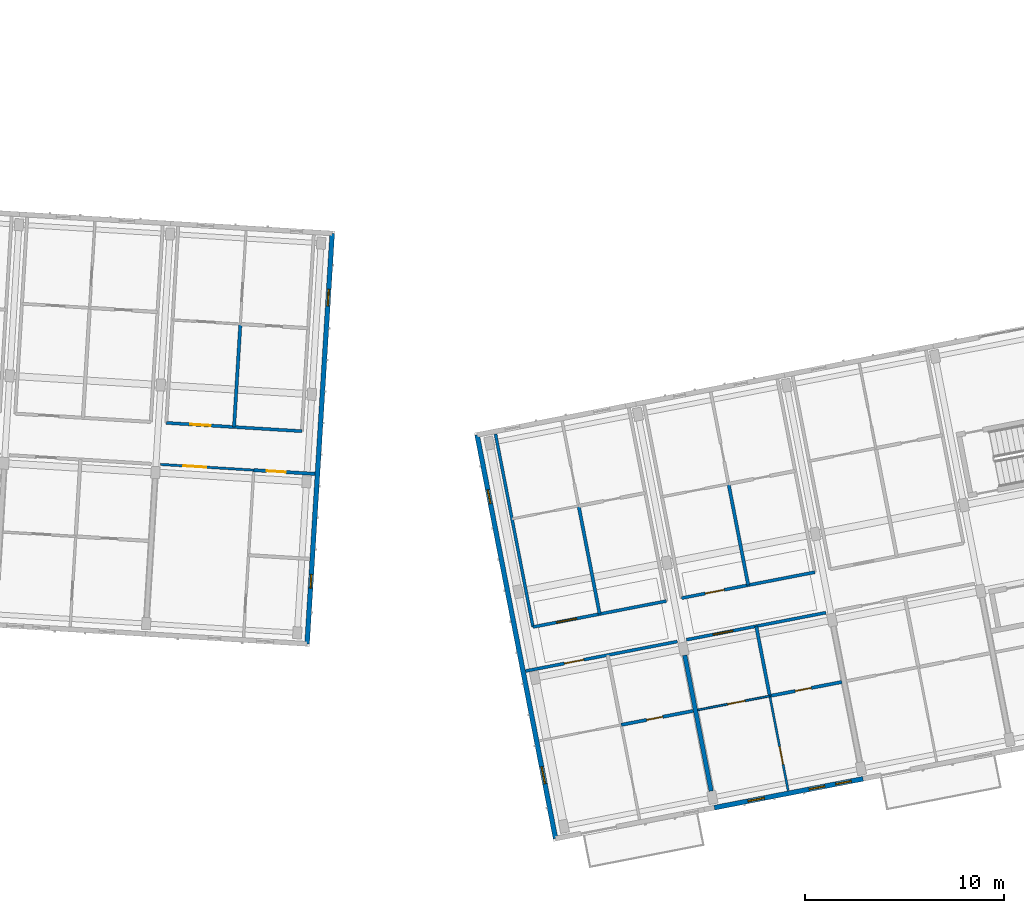
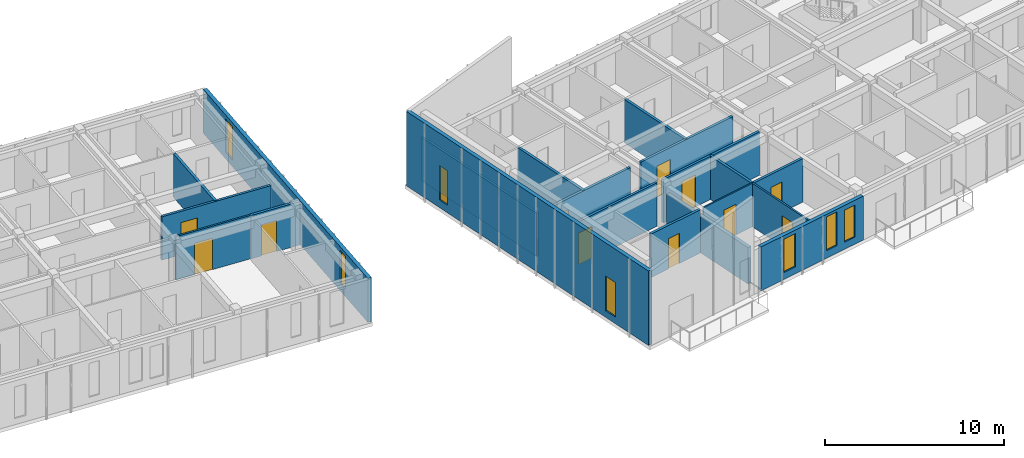
# One storey, part 27 of 65: 20 walls, 11 doors, 7 windows, 18 openings.
"""IFC4 building model written with IfcOpenShell, lengths in metres."""

from ifc_helpers import new_model, si_unit, direction, frame, frame_2d, origin, place, context, subcontext, project, spatial, rectangle, extrude, material, layer, layer_set, type_object, element, fill, save


model = new_model("IFC4")

# Units and contexts
model_context = context("Model", 3, precision=1e-05, world=origin(), true_north=direction((0.0, 1.0)))
body_context = subcontext(model_context, "Body", "Model", "MODEL_VIEW")
ifc_project = project(units=[si_unit("LENGTHUNIT", "METRE"), si_unit("AREAUNIT", "SQUARE_METRE"), si_unit("VOLUMEUNIT", "CUBIC_METRE"), si_unit("PLANEANGLEUNIT", "RADIAN"), si_unit("MASSUNIT", "GRAM", prefix="KILO")], contexts=[model_context])

# Site, building, storey
site_placement = place(None, origin())
site = spatial("IfcSite", under=ifc_project, at=site_placement, CompositionType="ELEMENT")
building_placement = place(site_placement, origin())
building = spatial("IfcBuilding", under=site, at=building_placement, Name="Kestramere Prow Commons", CompositionType="ELEMENT")
storey_placement = place(building_placement, frame((0.0, 0.0, 21.39990234375)))
storey = spatial("IfcBuildingStorey", under=building, at=storey_placement, Name="L06", CompositionType="ELEMENT", Elevation=21.39990234375)

# Wall, openings, windows
ifc_material_1 = material(Name="Fluoropolymer Standing-Seam Zinc-Aluminium Cladding", Category="aluminium")
ifc_layer_1 = layer(ifc_material_1, 0.239990234375)
ifc_layer_set_1 = layer_set([ifc_layer_1], Name="Fluoropolymer Standing-Seam Zinc-Aluminium Cladding")
wall_type_1 = type_object("IfcWallType", Name="EW-SEAM-240", PredefinedType="SOLIDWALL", material=ifc_layer_set_1)
wall_1_placement = place(storey_placement, frame((106.767578125, 63.771484375, 0.0), z_axis=(0.0, 0.0, 1.0), x_axis=(-0.061053332998, -0.99813450523, 0.0)))
wall_1 = element("IfcWall", 1, at=wall_1_placement, inside=storey, type_object=wall_type_1, Name="Block C L06 EAV Facet Wall", PredefinedType="SOLIDWALL", context=body_context, shape_type="SweptSolid", body=[
    extrude(rectangle(XDim=20.64990234375, YDim=0.239990234375, at=frame_2d((10.324951171875, 0.0))), origin(), (0.0, 0.0, 1.0), 3.0),
])
opening_1_placement = place(wall_1_placement, frame((2.81005859375, 0.0, 0.449951171875)))
opening_1 = element("IfcOpeningElement", 2, at=opening_1_placement, cuts=wall_1, Name="Opening WN-14", PredefinedType="OPENING", context=body_context, shape_type="SweptSolid", body=[
    extrude(rectangle(XDim=0.840087890625, YDim=2.280029296875, at=frame_2d((0.419921875, 1.14013671875))), frame((0.0, 0.135009765625, 0.0), z_axis=(0.0, -1.0, 0.0), x_axis=(1.0, 0.0, 0.0)), (0.0, 0.0, 1.0), 0.27001953125),
])
opening_2_placement = place(wall_1_placement, frame((17.159912109375, 0.0, 0.52001953125)))
opening_2 = element("IfcOpeningElement", 3, at=opening_2_placement, cuts=wall_1, Name="Opening WN-06", PredefinedType="OPENING", context=body_context, shape_type="SweptSolid", body=[
    extrude(rectangle(XDim=0.679931640625, YDim=2.239990234375, at=frame_2d((0.33984375, 1.1201171875))), frame((0.0, 0.135009765625, 0.0), z_axis=(0.0, -1.0, 0.0), x_axis=(1.0, 0.0, 0.0)), (0.0, 0.0, 1.0), 0.27001953125),
])
ifc_material_2 = material(Name="Low-E Laminated Double Glazing", Category="glass")
window_type_1 = type_object("IfcWindowType", Name="WN-NAR-680A", PartitioningType="SINGLE_PANEL", PredefinedType="WINDOW", material=ifc_material_2)
window_1_placement = place(opening_2_placement, origin())
window_1 = element("IfcWindow", 4, at=window_1_placement, inside=storey, type_object=window_type_1, Name="WN-C-L06-EAV-1", OverallHeight=2.239990234375, OverallWidth=0.679931640625, PartitioningType="SINGLE_PANEL", PredefinedType="WINDOW", context=body_context, shape_type="SweptSolid", body=[
    extrude(rectangle(XDim=0.679931640625, YDim=2.239990234375, at=frame_2d((0.33984375, 1.1201171875))), frame((0.0, 0.030029296875, 0.0), z_axis=(0.0, -1.0, 0.0), x_axis=(1.0, 0.0, 0.0)), (0.0, 0.0, 1.0), 0.06005859375),
])
fill(opening_2, window_1)
window_type_2 = type_object("IfcWindowType", Name="WN-NAR-840A", PartitioningType="DOUBLE_PANEL_VERTICAL", PredefinedType="WINDOW", material=ifc_material_2)
window_2_placement = place(opening_1_placement, origin())
window_2 = element("IfcWindow", 5, at=window_2_placement, inside=storey, type_object=window_type_2, Name="WN-C-L06-EAV-0", OverallHeight=2.280029296875, OverallWidth=0.840087890625, PartitioningType="SINGLE_PANEL", PredefinedType="WINDOW", context=body_context, shape_type="SweptSolid", body=[
    extrude(rectangle(XDim=0.840087890625, YDim=2.280029296875, at=frame_2d((0.419921875, 1.14013671875))), frame((0.0, 0.030029296875, 0.0), z_axis=(0.0, -1.0, 0.0), x_axis=(1.0, 0.0, 0.0)), (0.0, 0.0, 1.0), 0.06005859375),
])
fill(opening_1, window_2)

wall_2_placement = place(storey_placement, frame((133.4208984375, 36.385009765625, 0.0), z_axis=(0.0, 0.0, 1.0), x_axis=(-0.981626422232, -0.190812911449, 0.0)))
wall_2 = element("IfcWall", 6, at=wall_2_placement, inside=storey, type_object=wall_type_1, Name="Block D L06 South Standing-Seam Wall 2", PredefinedType="SOLIDWALL", context=body_context, shape_type="SweptSolid", body=[
    extrude(rectangle(XDim=7.60009765625, YDim=0.239990234375, at=frame_2d((3.800048828125, 0.0))), origin(), (0.0, 0.0, 1.0), 3.0),
])
opening_3_placement = place(wall_2_placement, frame((0.610107421875, 0.0, 0.47998046875)))
opening_3 = element("IfcOpeningElement", 7, at=opening_3_placement, cuts=wall_2, Name="Opening WN-11", PredefinedType="OPENING", context=body_context, shape_type="SweptSolid", body=[
    extrude(rectangle(XDim=0.780029296875, YDim=2.199951171875, at=frame_2d((0.39013671875, 1.10009765625))), frame((0.0, 0.135009765625, 0.0), z_axis=(0.0, -1.0, 0.0), x_axis=(1.0, 0.0, 0.0)), (0.0, 0.0, 1.0), 0.27001953125),
])
opening_4_placement = place(wall_2_placement, frame((1.951904296875, 0.0, 0.52001953125)))
opening_4 = element("IfcOpeningElement", 8, at=opening_4_placement, cuts=wall_2, Name="Opening WN-12", PredefinedType="OPENING", context=body_context, shape_type="SweptSolid", body=[
    extrude(rectangle(XDim=0.800048828125, YDim=2.300048828125, at=frame_2d((0.39990234375, 1.14990234375))), frame((0.0, 0.135009765625, 0.0), z_axis=(0.0, -1.0, 0.0), x_axis=(1.0, 0.0, 0.0)), (0.0, 0.0, 1.0), 0.27001953125),
])
opening_5_placement = place(wall_2_placement, frame((5.0439453125, 0.0, 0.47998046875)))
opening_5 = element("IfcOpeningElement", 9, at=opening_5_placement, cuts=wall_2, Name="Opening WN-14", PredefinedType="OPENING", context=body_context, shape_type="SweptSolid", body=[
    extrude(rectangle(XDim=0.840087890625, YDim=2.280029296875, at=frame_2d((0.419921875, 1.14013671875))), frame((0.0, 0.135009765625, 0.0), z_axis=(0.0, -1.0, 0.0), x_axis=(1.0, 0.0, 0.0)), (0.0, 0.0, 1.0), 0.27001953125),
])
window_type_3 = type_object("IfcWindowType", Name="WN-NAR-780A", PartitioningType="SINGLE_PANEL", PredefinedType="WINDOW", material=ifc_material_2)
window_3_placement = place(opening_3_placement, origin())
window_3 = element("IfcWindow", 10, at=window_3_placement, inside=storey, type_object=window_type_3, Name="WN-D-L06-S-1-00", OverallHeight=2.199951171875, OverallWidth=0.780029296875, PartitioningType="SINGLE_PANEL", PredefinedType="WINDOW", context=body_context, shape_type="SweptSolid", body=[
    extrude(rectangle(XDim=0.780029296875, YDim=2.199951171875, at=frame_2d((0.39013671875, 1.10009765625))), frame((0.0, 0.030029296875, 0.0), z_axis=(0.0, -1.0, 0.0), x_axis=(1.0, 0.0, 0.0)), (0.0, 0.0, 1.0), 0.06005859375),
])
fill(opening_3, window_3)
window_type_4 = type_object("IfcWindowType", Name="WN-NAR-800A", PartitioningType="SINGLE_PANEL", PredefinedType="WINDOW", material=ifc_material_2)
window_4_placement = place(opening_4_placement, origin())
window_4 = element("IfcWindow", 11, at=window_4_placement, inside=storey, type_object=window_type_4, Name="WN-D-L06-S-1-01", OverallHeight=2.300048828125, OverallWidth=0.800048828125, PartitioningType="SINGLE_PANEL", PredefinedType="WINDOW", context=body_context, shape_type="SweptSolid", body=[
    extrude(rectangle(XDim=0.800048828125, YDim=2.300048828125, at=frame_2d((0.39990234375, 1.14990234375))), frame((0.0, 0.030029296875, 0.0), z_axis=(0.0, -1.0, 0.0), x_axis=(1.0, 0.0, 0.0)), (0.0, 0.0, 1.0), 0.06005859375),
])
fill(opening_4, window_4)
window_5_placement = place(opening_5_placement, origin())
window_5 = element("IfcWindow", 12, at=window_5_placement, inside=storey, type_object=window_type_2, Name="WN-D-L06-S-1-10", OverallHeight=2.280029296875, OverallWidth=0.840087890625, PartitioningType="SINGLE_PANEL", PredefinedType="WINDOW", context=body_context, shape_type="SweptSolid", body=[
    extrude(rectangle(XDim=0.840087890625, YDim=2.280029296875, at=frame_2d((0.419921875, 1.14013671875))), frame((0.0, 0.030029296875, 0.0), z_axis=(0.0, -1.0, 0.0), x_axis=(1.0, 0.0, 0.0)), (0.0, 0.0, 1.0), 0.06005859375),
])
fill(opening_5, window_5)

wall_3_placement = place(storey_placement, frame((117.98486328125, 33.384521484375, 0.0), z_axis=(0.0, 0.0, 1.0), x_axis=(-0.190808900739, 0.981627201843, 0.0)))
wall_3 = element("IfcWall", 13, at=wall_3_placement, inside=storey, type_object=wall_type_1, Name="Block D L06 EAV Facet Wall", PredefinedType="SOLIDWALL", context=body_context, shape_type="SweptSolid", body=[
    extrude(rectangle(XDim=20.64990234375, YDim=0.239990234375, at=frame_2d((10.324951171875, 0.0))), origin(), (0.0, 0.0, 1.0), 5.086181640625),
])
opening_6_placement = place(wall_3_placement, frame((2.81005859375, 0.0, 0.449951171875)))
opening_6 = element("IfcOpeningElement", 14, at=opening_6_placement, cuts=wall_3, Name="Opening WN-15", PredefinedType="OPENING", context=body_context, shape_type="SweptSolid", body=[
    extrude(rectangle(XDim=0.860107421875, YDim=2.360107421875, at=frame_2d((0.43017578125, 1.18017578125))), frame((0.0, 0.135009765625, 0.0), z_axis=(0.0, -1.0, 0.0), x_axis=(1.0, 0.0, 0.0)), (0.0, 0.0, 1.0), 0.27001953125),
])
opening_7_placement = place(wall_3_placement, frame((17.139892578125, 0.0, 0.52001953125)))
opening_7 = element("IfcOpeningElement", 15, at=opening_7_placement, cuts=wall_3, Name="Opening WN-07", PredefinedType="OPENING", context=body_context, shape_type="SweptSolid", body=[
    extrude(rectangle(XDim=0.699951171875, YDim=2.360107421875, at=frame_2d((0.35009765625, 1.18017578125))), frame((0.0, 0.135009765625, 0.0), z_axis=(0.0, -1.0, 0.0), x_axis=(1.0, 0.0, 0.0)), (0.0, 0.0, 1.0), 0.27001953125),
])
window_type_5 = type_object("IfcWindowType", Name="WN-NAR-700A", PartitioningType="SINGLE_PANEL", PredefinedType="WINDOW", material=ifc_material_2)
window_6_placement = place(opening_7_placement, origin())
window_6 = element("IfcWindow", 16, at=window_6_placement, inside=storey, type_object=window_type_5, Name="WN-D-L06-EAV-1", OverallHeight=2.360107421875, OverallWidth=0.699951171875, PartitioningType="SINGLE_PANEL", PredefinedType="WINDOW", context=body_context, shape_type="SweptSolid", body=[
    extrude(rectangle(XDim=0.699951171875, YDim=2.360107421875, at=frame_2d((0.35009765625, 1.18017578125))), frame((0.0, 0.030029296875, 0.0), z_axis=(0.0, -1.0, 0.0), x_axis=(1.0, 0.0, 0.0)), (0.0, 0.0, 1.0), 0.06005859375),
])
fill(opening_7, window_6)
window_type_6 = type_object("IfcWindowType", Name="WN-NAR-860A", PartitioningType="DOUBLE_PANEL_VERTICAL", PredefinedType="WINDOW", material=ifc_material_2)
window_7_placement = place(opening_6_placement, origin())
window_7 = element("IfcWindow", 17, at=window_7_placement, inside=storey, type_object=window_type_6, Name="WN-D-L06-EAV-0", OverallHeight=2.360107421875, OverallWidth=0.860107421875, PartitioningType="SINGLE_PANEL", PredefinedType="WINDOW", context=body_context, shape_type="SweptSolid", body=[
    extrude(rectangle(XDim=0.860107421875, YDim=2.360107421875, at=frame_2d((0.43017578125, 1.18017578125))), frame((0.0, 0.030029296875, 0.0), z_axis=(0.0, -1.0, 0.0), x_axis=(1.0, 0.0, 0.0)), (0.0, 0.0, 1.0), 0.06005859375),
])
fill(opening_6, window_7)

# Wall, opening, door
ifc_material_3 = material(Name="Fire-Rated Calcium Silicate Wall")
ifc_layer_2 = layer(ifc_material_3, 0.155029296875)
ifc_layer_set_2 = layer_set([ifc_layer_2], Name="Fire-Rated Calcium Silicate Wall")
wall_type_2 = type_object("IfcWallType", Name="W-FIRE-150", PredefinedType="PARTITIONING", material=ifc_layer_set_2)
wall_4_placement = place(storey_placement, frame((98.436279296875, 54.257568359375, 0.0), z_axis=(0.0, 0.0, 1.0), x_axis=(0.998133350094, -0.061072214879, 0.0)))
wall_4 = element("IfcWall", 18, at=wall_4_placement, inside=storey, type_object=wall_type_2, Name="Interior Partition PW-C-L06-CN-5", PredefinedType="PARTITIONING", context=body_context, shape_type="SweptSolid", body=[
    extrude(rectangle(XDim=6.81982421875, YDim=0.155029296875, at=frame_2d((3.409912109375, 0.0))), origin(), (0.0, 0.0, 1.0), 2.97021484375),
])
opening_8_placement = place(wall_4_placement, frame((1.205078125, 0.0, 0.0)))
opening_8 = element("IfcOpeningElement", 19, at=opening_8_placement, cuts=wall_4, Name="Opening ID-05", PredefinedType="OPENING", context=body_context, shape_type="SweptSolid", body=[
    extrude(rectangle(XDim=1.02001953125, YDim=2.199951171875, at=frame_2d((0.510009765625, 1.10009765625))), frame((0.0, 0.092529296875, 0.0), z_axis=(0.0, -1.0, 0.0), x_axis=(1.0, 0.0, 0.0)), (0.0, 0.0, 1.0), 0.18505859375),
])
ifc_material_4 = material(Name="Hardwood Fire-Rated Flat Entrance Door", Category="wood")
door_type_1 = type_object("IfcDoorType", Name="FD-ENT-02", OperationType="NOTDEFINED", PredefinedType="DOOR", material=ifc_material_4)
door_1_placement = place(opening_8_placement, origin())
door_1 = element("IfcDoor", 20, at=door_1_placement, inside=storey, type_object=door_type_1, Name="Interior Door DR-C-L06-ENT-N5", OperationType="SINGLE_SWING_RIGHT", OverallHeight=2.199951171875, OverallWidth=1.02001953125, PredefinedType="DOOR", context=body_context, shape_type="SweptSolid", body=[
    extrude(rectangle(XDim=1.02001953125, YDim=2.199951171875, at=frame_2d((0.510009765625, 1.10009765625))), frame((0.0, 0.02490234375, 0.0), z_axis=(0.0, -1.0, 0.0), x_axis=(1.0, 0.0, 0.0)), (0.0, 0.0, 1.0), 0.050048828125),
])
fill(opening_8, door_1)

wall_5_placement = place(storey_placement, frame((116.48193359375, 41.79736328125, 0.0), z_axis=(0.0, 0.0, 1.0), x_axis=(0.981626358594, 0.190813238834, 0.0)))
wall_5 = element("IfcWall", 21, at=wall_5_placement, inside=storey, type_object=wall_type_2, Name="Interior Partition PW-D-L06-CS-0", PredefinedType="PARTITIONING", context=body_context, shape_type="SweptSolid", body=[
    extrude(rectangle(XDim=7.760009765625, YDim=0.155029296875, at=frame_2d((3.8798828125, 0.0))), origin(), (0.0, 0.0, 1.0), 2.97021484375),
])
opening_9_placement = place(wall_5_placement, frame((1.985107421875, 0.0, 0.0)))
opening_9 = element("IfcOpeningElement", 22, at=opening_9_placement, cuts=wall_5, Name="Opening ID-04", PredefinedType="OPENING", context=body_context, shape_type="SweptSolid", body=[
    extrude(rectangle(XDim=0.97998046875, YDim=2.14990234375, at=frame_2d((0.489990234375, 1.074951171875))), frame((0.0, 0.092529296875, 0.0), z_axis=(0.0, -1.0, 0.0), x_axis=(1.0, 0.0, 0.0)), (0.0, 0.0, 1.0), 0.18505859375),
])
door_type_2 = type_object("IfcDoorType", Name="FD-ENT-01", OperationType="NOTDEFINED", PredefinedType="DOOR", material=ifc_material_4)
door_2_placement = place(opening_9_placement, origin())
door_2 = element("IfcDoor", 23, at=door_2_placement, inside=storey, type_object=door_type_2, Name="Interior Door DR-D-L06-ENT-S0", OperationType="SINGLE_SWING_LEFT", OverallHeight=2.14990234375, OverallWidth=0.97998046875, PredefinedType="DOOR", context=body_context, shape_type="SweptSolid", body=[
    extrude(rectangle(XDim=0.97998046875, YDim=2.14990234375, at=frame_2d((0.489990234375, 1.074951171875))), frame((0.0, 0.02490234375, 0.0), z_axis=(0.0, -1.0, 0.0), x_axis=(1.0, 0.0, 0.0)), (0.0, 0.0, 1.0), 0.050048828125),
])
fill(opening_9, door_2)

wall_6_placement = place(storey_placement, frame((124.560791015625, 43.36767578125, 0.0), z_axis=(0.0, 0.0, 1.0), x_axis=(0.981630356092, 0.190792672811, 0.0)))
wall_6 = element("IfcWall", 24, at=wall_6_placement, inside=storey, type_object=wall_type_2, Name="Interior Partition PW-D-L06-CS-1", PredefinedType="PARTITIONING", context=body_context, shape_type="SweptSolid", body=[
    extrude(rectangle(XDim=7.1298828125, YDim=0.155029296875, at=frame_2d((3.56494140625, 0.0))), origin(), (0.0, 0.0, 1.0), 2.97021484375),
])
opening_10_placement = place(wall_6_placement, frame((1.35498046875, 0.0, 0.0)))
opening_10 = element("IfcOpeningElement", 25, at=opening_10_placement, cuts=wall_6, Name="Opening ID-05", PredefinedType="OPENING", context=body_context, shape_type="SweptSolid", body=[
    extrude(rectangle(XDim=1.02001953125, YDim=2.199951171875, at=frame_2d((0.510009765625, 1.10009765625))), frame((0.0, 0.092529296875, 0.0), z_axis=(0.0, -1.0, 0.0), x_axis=(1.0, 0.0, 0.0)), (0.0, 0.0, 1.0), 0.18505859375),
])
door_3_placement = place(opening_10_placement, origin())
door_3 = element("IfcDoor", 26, at=door_3_placement, inside=storey, type_object=door_type_1, Name="Interior Door DR-D-L06-ENT-S1", OperationType="SINGLE_SWING_RIGHT", OverallHeight=2.199951171875, OverallWidth=1.02001953125, PredefinedType="DOOR", context=body_context, shape_type="SweptSolid", body=[
    extrude(rectangle(XDim=1.02001953125, YDim=2.199951171875, at=frame_2d((0.510009765625, 1.10009765625))), frame((0.0, 0.02490234375, 0.0), z_axis=(0.0, -1.0, 0.0), x_axis=(1.0, 0.0, 0.0)), (0.0, 0.0, 1.0), 0.050048828125),
])
fill(opening_10, door_3)

wall_7_placement = place(storey_placement, frame((116.851806640625, 44.008544921875, 0.0), z_axis=(0.0, 0.0, 1.0), x_axis=(0.981629173664, 0.190798756314, 0.0)))
wall_7 = element("IfcWall", 27, at=wall_7_placement, inside=storey, type_object=wall_type_2, Name="Interior Partition PW-D-L06-CN-0", PredefinedType="PARTITIONING", context=body_context, shape_type="SweptSolid", body=[
    extrude(rectangle(XDim=6.820068359375, YDim=0.155029296875, at=frame_2d((3.41015625, 0.0))), origin(), (0.0, 0.0, 1.0), 2.97021484375),
])
opening_11_placement = place(wall_7_placement, frame((1.205078125, 0.0, 0.0)))
opening_11 = element("IfcOpeningElement", 28, at=opening_11_placement, cuts=wall_7, Name="Opening ID-05", PredefinedType="OPENING", context=body_context, shape_type="SweptSolid", body=[
    extrude(rectangle(XDim=1.02001953125, YDim=2.199951171875, at=frame_2d((0.510009765625, 1.10009765625))), frame((0.0, 0.092529296875, 0.0), z_axis=(0.0, -1.0, 0.0), x_axis=(1.0, 0.0, 0.0)), (0.0, 0.0, 1.0), 0.18505859375),
])
door_4_placement = place(opening_11_placement, origin())
door_4 = element("IfcDoor", 29, at=door_4_placement, inside=storey, type_object=door_type_1, Name="Interior Door DR-D-L06-ENT-N0", OperationType="SINGLE_SWING_RIGHT", OverallHeight=2.199951171875, OverallWidth=1.02001953125, PredefinedType="DOOR", context=body_context, shape_type="SweptSolid", body=[
    extrude(rectangle(XDim=1.02001953125, YDim=2.199951171875, at=frame_2d((0.510009765625, 1.10009765625))), frame((0.0, 0.02490234375, 0.0), z_axis=(0.0, -1.0, 0.0), x_axis=(1.0, 0.0, 0.0)), (0.0, 0.0, 1.0), 0.050048828125),
])
fill(opening_11, door_4)

wall_8_placement = place(storey_placement, frame((124.312255859375, 45.458740234375, 0.0), z_axis=(0.0, 0.0, 1.0), x_axis=(0.981627870431, 0.190805461121, 0.0)))
wall_8 = element("IfcWall", 30, at=wall_8_placement, inside=storey, type_object=wall_type_2, Name="Interior Partition PW-D-L06-CN-1", PredefinedType="PARTITIONING", context=body_context, shape_type="SweptSolid", body=[
    extrude(rectangle(XDim=6.81982421875, YDim=0.155029296875, at=frame_2d((3.409912109375, 0.0))), origin(), (0.0, 0.0, 1.0), 2.97021484375),
])
opening_12_placement = place(wall_8_placement, frame((1.205078125, 0.0, 0.0)))
opening_12 = element("IfcOpeningElement", 31, at=opening_12_placement, cuts=wall_8, Name="Opening ID-04", PredefinedType="OPENING", context=body_context, shape_type="SweptSolid", body=[
    extrude(rectangle(XDim=0.97998046875, YDim=2.14990234375, at=frame_2d((0.489990234375, 1.074951171875))), frame((0.0, 0.092529296875, 0.0), z_axis=(0.0, -1.0, 0.0), x_axis=(1.0, 0.0, 0.0)), (0.0, 0.0, 1.0), 0.18505859375),
])
door_5_placement = place(opening_12_placement, origin())
door_5 = element("IfcDoor", 32, at=door_5_placement, inside=storey, type_object=door_type_2, Name="Interior Door DR-D-L06-ENT-N1", OperationType="SINGLE_SWING_LEFT", OverallHeight=2.14990234375, OverallWidth=0.97998046875, PredefinedType="DOOR", context=body_context, shape_type="SweptSolid", body=[
    extrude(rectangle(XDim=0.97998046875, YDim=2.14990234375, at=frame_2d((0.489990234375, 1.074951171875))), frame((0.0, 0.02490234375, 0.0), z_axis=(0.0, -1.0, 0.0), x_axis=(1.0, 0.0, 0.0)), (0.0, 0.0, 1.0), 0.050048828125),
])
fill(opening_12, door_5)

ifc_material_5 = material(Name="Gypsum Acoustic Drywall")
ifc_layer_3 = layer(ifc_material_5, 0.110107421875)
ifc_layer_set_3 = layer_set([ifc_layer_3], Name="Gypsum Acoustic Drywall")
wall_type_3 = type_object("IfcWallType", Name="W-PART-110", PredefinedType="PARTITIONING", material=ifc_layer_set_3)
wall_9_placement = place(storey_placement, frame((129.6650390625, 35.79248046875, 0.0), z_axis=(0.0, 0.0, 1.0), x_axis=(-0.190826454074, 0.98162378966, 0.0)))
wall_9 = element("IfcWall", 33, at=wall_9_placement, inside=storey, type_object=wall_type_3, Name="Interior Partition PW-D-L06-LB-S1", PredefinedType="PARTITIONING", context=body_context, shape_type="SweptSolid", body=[
    extrude(rectangle(XDim=4.83984375, YDim=0.110107421875, at=frame_2d((2.419921875, 0.0))), origin(), (0.0, 0.0, 1.0), 2.97021484375),
])
opening_13_placement = place(wall_9_placement, frame((1.35009765625, 0.0, 0.0)))
opening_13 = element("IfcOpeningElement", 34, at=opening_13_placement, cuts=wall_9, Name="Opening ID-08", PredefinedType="OPENING", context=body_context, shape_type="SweptSolid", body=[
    extrude(rectangle(XDim=0.89990234375, YDim=2.10009765625, at=frame_2d((0.449951171875, 1.050048828125))), frame((0.0, 0.070068359375, 0.0), z_axis=(0.0, -1.0, 0.0), x_axis=(1.0, 0.0, 0.0)), (0.0, 0.0, 1.0), 0.14013671875),
])
ifc_material_6 = material(Name="Engineered Timber Flush Door", Category="wood")
door_type_3 = type_object("IfcDoorType", Name="D-RM-01", OperationType="NOTDEFINED", PredefinedType="DOOR", material=ifc_material_6)
door_6_placement = place(opening_13_placement, origin())
door_6 = element("IfcDoor", 35, at=door_6_placement, inside=storey, type_object=door_type_3, Name="Interior Door DR-D-L06-BED-S1", OperationType="SINGLE_SWING_RIGHT", OverallHeight=2.10009765625, OverallWidth=0.89990234375, PredefinedType="DOOR", context=body_context, shape_type="SweptSolid", body=[
    extrude(rectangle(XDim=0.89990234375, YDim=2.10009765625, at=frame_2d((0.449951171875, 1.050048828125))), frame((0.0, 0.02490234375, 0.0), z_axis=(0.0, -1.0, 0.0), x_axis=(1.0, 0.0, 0.0)), (0.0, 0.0, 1.0), 0.050048828125),
])
fill(opening_13, door_6)

ifc_material_7 = material(Name="Lightweight Blockwork and Plaster", Category="masonry")
ifc_layer_4 = layer(ifc_material_7, 0.1201171875)
ifc_layer_set_4 = layer_set([ifc_layer_4], Name="Lightweight Blockwork and Plaster")
wall_type_4 = type_object("IfcWallType", Name="W-PART-120", PredefinedType="PARTITIONING", material=ifc_layer_set_4)
wall_10_placement = place(storey_placement, frame((98.1533203125, 52.1708984375, 0.0), z_axis=(0.0, 0.0, 1.0), x_axis=(0.998133238441, -0.06107403965, 0.0)))
wall_10 = element("IfcWall", 36, at=wall_10_placement, inside=storey, type_object=wall_type_4, Name="Interior Partition PW-C-L06-CS-5A", PredefinedType="PARTITIONING", context=body_context, shape_type="SweptSolid", body=[
    extrude(rectangle(XDim=4.68505859375, YDim=0.1201171875, at=frame_2d((2.342529296875, 0.0))), origin(), (0.0, 0.0, 1.0), 2.97021484375),
])
opening_14_placement = place(wall_10_placement, frame((1.14990234375, 0.0, 0.0)))
opening_14 = element("IfcOpeningElement", 37, at=opening_14_placement, cuts=wall_10, Name="Opening ID-09", PredefinedType="OPENING", context=body_context, shape_type="SweptSolid", body=[
    extrude(rectangle(XDim=1.14990234375, YDim=2.14990234375, at=frame_2d((0.574951171875, 1.074951171875))), frame((0.0, 0.074951171875, 0.0), z_axis=(0.0, -1.0, 0.0), x_axis=(1.0, 0.0, 0.0)), (0.0, 0.0, 1.0), 0.150146484375),
])
ifc_material_8 = material(Name="Engineered Timber Acoustic Door", Category="wood")
door_type_4 = type_object("IfcDoorType", Name="D-RM-02", OperationType="NOTDEFINED", PredefinedType="DOOR", material=ifc_material_8)
door_7_placement = place(opening_14_placement, origin())
door_7 = element("IfcDoor", 38, at=door_7_placement, inside=storey, type_object=door_type_4, Name="Interior Door DR-C-L06-SKY-5", OperationType="SINGLE_SWING_LEFT", OverallHeight=2.14990234375, OverallWidth=1.14990234375, PredefinedType="DOOR", context=body_context, shape_type="SweptSolid", body=[
    extrude(rectangle(XDim=1.14990234375, YDim=2.14990234375, at=frame_2d((0.574951171875, 1.074951171875))), frame((0.0, 0.02490234375, 0.0), z_axis=(0.0, -1.0, 0.0), x_axis=(1.0, 0.0, 0.0)), (0.0, 0.0, 1.0), 0.050048828125),
])
fill(opening_14, door_7)

# Wall
ifc_material_9 = material(Name="Masonry Compartment Wall", Category="masonry")
ifc_layer_5 = layer(ifc_material_9, 0.14990234375)
ifc_layer_set_5 = layer_set([ifc_layer_5], Name="Masonry Compartment Wall")
wall_type_5 = type_object("IfcWallType", Name="W-PART-150", PredefinedType="PARTITIONING", material=ifc_layer_set_5)
wall_11_placement = place(storey_placement, frame((116.851806640625, 44.008544921875, 0.0), z_axis=(0.0, 0.0, 1.0), x_axis=(-0.190814044018, 0.981626202078, 0.0)))
element("IfcWall", 39, at=wall_11_placement, inside=storey, type_object=wall_type_5, Name="Interior Partition PW-D-L06-NWL-0", PredefinedType="PARTITIONING", context=body_context, shape_type="SweptSolid", body=[
    extrude(rectangle(XDim=9.869873046875, YDim=0.14990234375, at=frame_2d((4.93505859375, 0.0))), origin(), (0.0, 0.0, 1.0), 2.97021484375),
])

# Wall, opening, door
ifc_layer_6 = layer(ifc_material_5, 0.094970703125)
ifc_layer_set_6 = layer_set([ifc_layer_6], Name="Gypsum Acoustic Drywall")
wall_type_6 = type_object("IfcWallType", Name="W-PART-95", PredefinedType="PARTITIONING", material=ifc_layer_set_6)
wall_12_placement = place(storey_placement, frame((125.124267578125, 39.84033203125, 0.0), z_axis=(0.0, 0.0, 1.0), x_axis=(0.981626422232, 0.190812911449, 0.0)))
wall_12 = element("IfcWall", 40, at=wall_12_placement, inside=storey, type_object=wall_type_6, Name="Interior Partition PW-D-L06-MIDS1-1", PredefinedType="PARTITIONING", context=body_context, shape_type="SweptSolid", body=[
    extrude(rectangle(XDim=3.684814453125, YDim=0.094970703125, at=frame_2d((1.84228515625, 0.0))), origin(), (0.0, 0.0, 1.0), 2.97021484375),
])
opening_15_placement = place(wall_12_placement, frame((1.52490234375, 0.0, 0.0)))
opening_15 = element("IfcOpeningElement", 41, at=opening_15_placement, cuts=wall_12, Name="Opening ID-08", PredefinedType="OPENING", context=body_context, shape_type="SweptSolid", body=[
    extrude(rectangle(XDim=0.89990234375, YDim=2.10009765625, at=frame_2d((0.449951171875, 1.050048828125))), frame((0.0, 0.0625, 0.0), z_axis=(0.0, -1.0, 0.0), x_axis=(1.0, 0.0, 0.0)), (0.0, 0.0, 1.0), 0.125),
])
door_8_placement = place(opening_15_placement, origin())
door_8 = element("IfcDoor", 42, at=door_8_placement, inside=storey, type_object=door_type_3, Name="Interior Door DR-D-L06-KL-S1", OperationType="SINGLE_SWING_RIGHT", OverallHeight=2.10009765625, OverallWidth=0.89990234375, PredefinedType="DOOR", context=body_context, shape_type="SweptSolid", body=[
    extrude(rectangle(XDim=0.89990234375, YDim=2.10009765625, at=frame_2d((0.449951171875, 1.050048828125))), frame((0.0, 0.02490234375, 0.0), z_axis=(0.0, -1.0, 0.0), x_axis=(1.0, 0.0, 0.0)), (0.0, 0.0, 1.0), 0.050048828125),
])
fill(opening_15, door_8)

ifc_material_10 = material(Name="Waterproof Sanitary Masonry Wall", Category="masonry")
ifc_layer_7 = layer(ifc_material_10, 0.1650390625)
ifc_layer_set_7 = layer_set([ifc_layer_7], Name="Waterproof Sanitary Masonry Wall")
wall_type_7 = type_object("IfcWallType", Name="W-PLUMB-150", PredefinedType="PLUMBINGWALL", material=ifc_layer_set_7)
wall_13_placement = place(storey_placement, frame((102.82958984375, 51.884765625, 0.0), z_axis=(0.0, 0.0, 1.0), x_axis=(0.998134491017, -0.061053565351, 0.0)))
wall_13 = element("IfcWall", 43, at=wall_13_placement, inside=storey, type_object=wall_type_7, Name="Interior Partition PW-C-L06-CS-5B", PredefinedType="PLUMBINGWALL", context=body_context, shape_type="SweptSolid", body=[
    extrude(rectangle(XDim=3.074951171875, YDim=0.1650390625, at=frame_2d((1.53759765625, 0.0))), origin(), (0.0, 0.0, 1.0), 2.97021484375),
])
opening_16_placement = place(wall_13_placement, frame((0.64990234375, 0.0, 0.0)))
opening_16 = element("IfcOpeningElement", 44, at=opening_16_placement, cuts=wall_13, Name="Opening ID-13", PredefinedType="OPENING", context=body_context, shape_type="SweptSolid", body=[
    extrude(rectangle(XDim=0.9599609375, YDim=2.1201171875, at=frame_2d((0.47998046875, 1.06005859375))), frame((0.0, 0.097412109375, 0.0), z_axis=(0.0, -1.0, 0.0), x_axis=(1.0, 0.0, 0.0)), (0.0, 0.0, 1.0), 0.195068359375),
])
ifc_material_11 = material(Name="Accessible Wide-Leaf Timber Door", Category="wood")
door_type_5 = type_object("IfcDoorType", Name="D-ACC-01", OperationType="NOTDEFINED", PredefinedType="DOOR", material=ifc_material_11)
door_9_placement = place(opening_16_placement, origin())
door_9 = element("IfcDoor", 45, at=door_9_placement, inside=storey, type_object=door_type_5, Name="Interior Door DR-C-L06-SKWC-5", OperationType="SINGLE_SWING_RIGHT", OverallHeight=2.1201171875, OverallWidth=0.9599609375, PredefinedType="DOOR", context=body_context, shape_type="SweptSolid", body=[
    extrude(rectangle(XDim=0.9599609375, YDim=2.1201171875, at=frame_2d((0.47998046875, 1.06005859375))), frame((0.0, 0.02490234375, 0.0), z_axis=(0.0, -1.0, 0.0), x_axis=(1.0, 0.0, 0.0)), (0.0, 0.0, 1.0), 0.050048828125),
])
fill(opening_16, door_9)

# Wall
wall_14_placement = place(storey_placement, frame((101.83984375, 54.04931640625, 0.0), z_axis=(0.0, 0.0, 1.0), x_axis=(0.06103436051, 0.998135665547, 0.0)))
element("IfcWall", 46, at=wall_14_placement, inside=storey, type_object=wall_type_7, Name="Interior Partition PW-C-L06-KB-N5", PredefinedType="PLUMBINGWALL", context=body_context, shape_type="SweptSolid", body=[
    extrude(rectangle(XDim=5.18017578125, YDim=0.1650390625, at=frame_2d((2.590087890625, 0.0))), origin(), (0.0, 0.0, 1.0), 2.97021484375),
])

# Wall, opening, door
wall_15_placement = place(storey_placement, frame((121.281005859375, 39.09326171875, 0.0), z_axis=(0.0, 0.0, 1.0), x_axis=(0.981628834294, 0.190800502313, 0.0)))
wall_15 = element("IfcWall", 47, at=wall_15_placement, inside=storey, type_object=wall_type_7, Name="Interior Partition PW-D-L06-MIDS2-0", PredefinedType="PLUMBINGWALL", context=body_context, shape_type="SweptSolid", body=[
    extrude(rectangle(XDim=3.68505859375, YDim=0.1650390625, at=frame_2d((1.842529296875, 0.0))), origin(), (0.0, 0.0, 1.0), 2.97021484375),
])
opening_17_placement = place(wall_15_placement, frame((1.300048828125, 0.0, 0.0)))
opening_17 = element("IfcOpeningElement", 48, at=opening_17_placement, cuts=wall_15, Name="Opening ID-11", PredefinedType="OPENING", context=body_context, shape_type="SweptSolid", body=[
    extrude(rectangle(XDim=0.820068359375, YDim=2.080078125, at=frame_2d((0.41015625, 1.0400390625))), frame((0.0, 0.097412109375, 0.0), z_axis=(0.0, -1.0, 0.0), x_axis=(1.0, 0.0, 0.0)), (0.0, 0.0, 1.0), 0.195068359375),
])
ifc_material_12 = material(Name="Moisture-Resistant Timber Bathroom Door", Category="wood")
door_type_6 = type_object("IfcDoorType", Name="D-BT-01", OperationType="NOTDEFINED", PredefinedType="DOOR", material=ifc_material_12)
door_10_placement = place(opening_17_placement, origin())
door_10 = element("IfcDoor", 49, at=door_10_placement, inside=storey, type_object=door_type_6, Name="Interior Door DR-D-L06-BTH-S0", OperationType="SINGLE_SWING_LEFT", OverallHeight=2.080078125, OverallWidth=0.820068359375, PredefinedType="DOOR", context=body_context, shape_type="SweptSolid", body=[
    extrude(rectangle(XDim=0.820068359375, YDim=2.080078125, at=frame_2d((0.41015625, 1.0400390625))), frame((0.0, 0.02490234375, 0.0), z_axis=(0.0, -1.0, 0.0), x_axis=(1.0, 0.0, 0.0)), (0.0, 0.0, 1.0), 0.050048828125),
])
fill(opening_17, door_10)

wall_16_placement = place(storey_placement, frame((128.741455078125, 40.54345703125, 0.0), z_axis=(0.0, 0.0, 1.0), x_axis=(0.981626422232, 0.190812911449, 0.0)))
wall_16 = element("IfcWall", 50, at=wall_16_placement, inside=storey, type_object=wall_type_7, Name="Interior Partition PW-D-L06-MIDS2-1", PredefinedType="PLUMBINGWALL", context=body_context, shape_type="SweptSolid", body=[
    extrude(rectangle(XDim=3.684814453125, YDim=0.1650390625, at=frame_2d((1.84228515625, 0.0))), origin(), (0.0, 0.0, 1.0), 2.97021484375),
])
opening_18_placement = place(wall_16_placement, frame((1.300048828125, 0.0, 0.0)))
opening_18 = element("IfcOpeningElement", 51, at=opening_18_placement, cuts=wall_16, Name="Opening ID-11", PredefinedType="OPENING", context=body_context, shape_type="SweptSolid", body=[
    extrude(rectangle(XDim=0.820068359375, YDim=2.080078125, at=frame_2d((0.41015625, 1.0400390625))), frame((0.0, 0.097412109375, 0.0), z_axis=(0.0, -1.0, 0.0), x_axis=(1.0, 0.0, 0.0)), (0.0, 0.0, 1.0), 0.195068359375),
])
door_11_placement = place(opening_18_placement, origin())
door_11 = element("IfcDoor", 52, at=door_11_placement, inside=storey, type_object=door_type_6, Name="Interior Door DR-D-L06-BTH-S1", OperationType="SINGLE_SWING_LEFT", OverallHeight=2.080078125, OverallWidth=0.820068359375, PredefinedType="DOOR", context=body_context, shape_type="SweptSolid", body=[
    extrude(rectangle(XDim=0.820068359375, YDim=2.080078125, at=frame_2d((0.41015625, 1.0400390625))), frame((0.0, 0.02490234375, 0.0), z_axis=(0.0, -1.0, 0.0), x_axis=(1.0, 0.0, 0.0)), (0.0, 0.0, 1.0), 0.050048828125),
])
fill(opening_18, door_11)

# Walls
wall_17_placement = place(storey_placement, frame((128.741455078125, 40.54345703125, 0.0), z_axis=(0.0, 0.0, 1.0), x_axis=(-0.190800102044, 0.981628912095, 0.0)))
element("IfcWall", 53, at=wall_17_placement, inside=storey, type_object=wall_type_7, Name="Interior Partition PW-D-L06-KB-S1", PredefinedType="PLUMBINGWALL", context=body_context, shape_type="SweptSolid", body=[
    extrude(rectangle(XDim=3.570068359375, YDim=0.1650390625, at=frame_2d((1.78515625, 0.0))), origin(), (0.0, 0.0, 1.0), 2.97021484375),
])
wall_18_placement = place(storey_placement, frame((120.19921875, 44.6591796875, 0.0), z_axis=(0.0, 0.0, 1.0), x_axis=(-0.190807031124, 0.981627565258, 0.0)))
element("IfcWall", 54, at=wall_18_placement, inside=storey, type_object=wall_type_7, Name="Interior Partition PW-D-L06-KB-N0", PredefinedType="PLUMBINGWALL", context=body_context, shape_type="SweptSolid", body=[
    extrude(rectangle(XDim=5.530029296875, YDim=0.1650390625, at=frame_2d((2.76513671875, 0.0))), origin(), (0.0, 0.0, 1.0), 2.97021484375),
])
wall_19_placement = place(storey_placement, frame((127.65966796875, 46.109375, 0.0), z_axis=(0.0, 0.0, 1.0), x_axis=(-0.190838120755, 0.981621521599, 0.0)))
element("IfcWall", 55, at=wall_19_placement, inside=storey, type_object=wall_type_7, Name="Interior Partition PW-D-L06-KB-N1", PredefinedType="PLUMBINGWALL", context=body_context, shape_type="SweptSolid", body=[
    extrude(rectangle(XDim=5.179931640625, YDim=0.1650390625, at=frame_2d((2.58984375, 0.0))), origin(), (0.0, 0.0, 1.0), 2.97021484375),
])
ifc_material_13 = material(Name="Precast concrete C40/50", Category="concrete")
ifc_layer_8 = layer(ifc_material_13, 0.219970703125)
ifc_layer_set_8 = layer_set([ifc_layer_8], Name="Precast concrete C40/50")
wall_type_8 = type_object("IfcWallType", Name="W-XWALL-220", PredefinedType="SHEAR", material=ifc_layer_set_8)
wall_20_placement = place(storey_placement, frame((125.79833984375, 35.769287109375, 0.0), z_axis=(0.0, 0.0, 1.0), x_axis=(-0.190817005532, 0.981625626397, 0.0)))
element("IfcWall", 56, at=wall_20_placement, inside=storey, type_object=wall_type_8, Name="Block D L06 Precast Cross-Wall 1", PredefinedType="SHEAR", context=body_context, shape_type="SweptSolid", body=[
    extrude(rectangle(XDim=6.949951171875, YDim=0.219970703125, at=frame_2d((3.47509765625, 0.0))), origin(), (0.0, 0.0, 1.0), 2.5),
])

save(model, "model.ifc")
